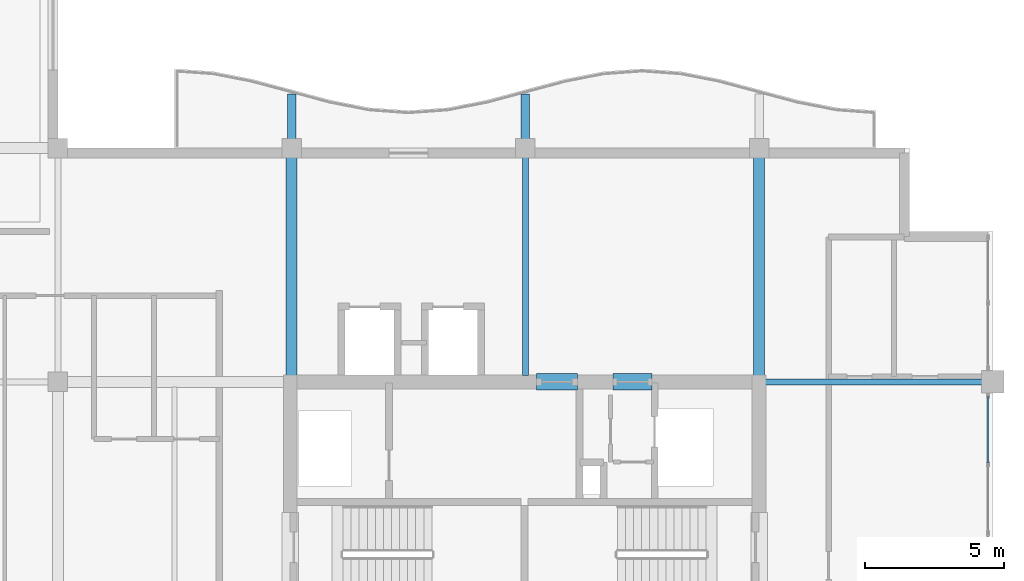
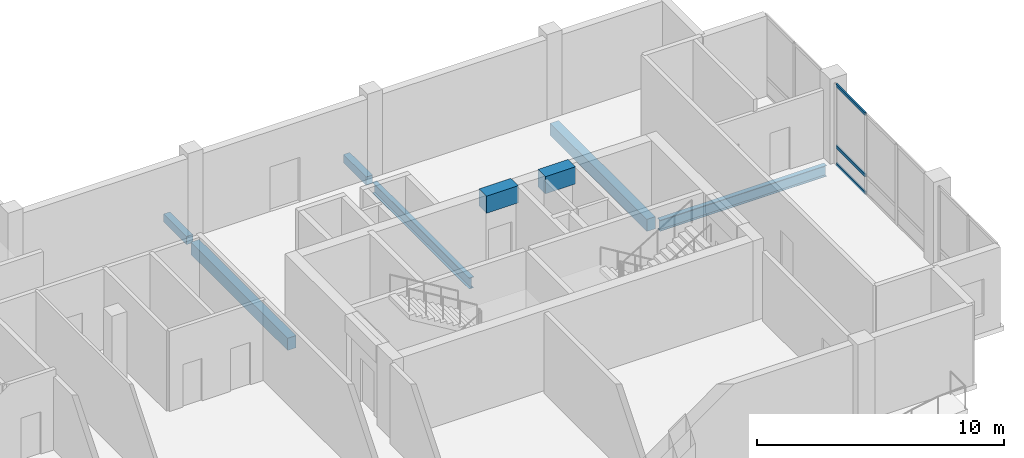
# One storey, part 3 of 16: 8 beams, 3 members, 1 element without a shape of its own.
"""IFC4 building model written with IfcOpenShell, lengths in metres."""

from ifc_helpers import new_model, si_unit, direction, frame, origin, origin_2d, place, context, subcontext, project, spatial, rectangle, hollow_rectangle, i_section, extrude, material, layer, layer_set, material_profile, profile_set, type_object, element, aggregate, save


model = new_model("IFC4")

# Units and contexts
model_context = context("Model", 3, precision=1e-05, world=origin(), true_north=direction((0.0, 1.0)))
body_context = subcontext(model_context, "Body", "Model", "MODEL_VIEW")
ifc_project = project(units=[si_unit("LENGTHUNIT", "METRE"), si_unit("AREAUNIT", "SQUARE_METRE"), si_unit("VOLUMEUNIT", "CUBIC_METRE"), si_unit("PLANEANGLEUNIT", "RADIAN"), si_unit("MASSUNIT", "GRAM", prefix="KILO")], contexts=[model_context])

# Site, building, storey
site_placement = place(None, origin())
site = spatial("IfcSite", under=ifc_project, at=site_placement, CompositionType="ELEMENT")
building_placement = place(site_placement, origin())
building = spatial("IfcBuilding", under=site, at=building_placement, Name="Koriwani Terraces Tower", CompositionType="ELEMENT")
storey_placement = place(building_placement, frame((0.0, 0.0, 355.39990234375)))
storey = spatial("IfcBuildingStorey", under=building, at=storey_placement, Name="L88", CompositionType="ELEMENT", Elevation=355.39990234375)

# Beams
ifc_material_1 = material(Name="Concrete C40/50", Category="concrete")
ifc_material_profile_1 = material_profile(ifc_material_1, rectangle(XDim=0.300048828125, YDim=0.39990234375, at=origin_2d()), Name="Concrete C40/50", Category="LoadBearing")
ifc_profile_set_1 = profile_set([ifc_material_profile_1], Name="Concrete C40/50")
beam_type_1 = type_object("IfcBeamType", Name="BEAM_RC_BALCONY_RIB_300X400", PredefinedType="JOIST", material=ifc_profile_set_1)
for number, where, z_axis, x_axis, name in (
    (1, (42.0, 33.699951171875, -0.429931640625), (0.0, 1.0, 0.0), (-1.0, 0.0, 0.0), "L88 Balcony Bracket Rib NE-1"),
    (2, (50.39990234375, 33.699951171875, -0.429931640625), (0.0, 1.0, 0.0), (-1.0, 0.0, 0.0), "L88 Balcony Bracket Rib NE-2"),
):
    element("IfcBeam", number, at=place(storey_placement, frame(where, z_axis=z_axis, x_axis=x_axis)), inside=storey, type_object=beam_type_1, Name=name, PredefinedType="JOIST", context=body_context, shape_type="SweptSolid", body=[
        extrude(rectangle(XDim=0.300048828125, YDim=0.39990234375, at=origin_2d()), origin(), (0.0, 0.0, 1.0), 1.85009765625),
    ])
ifc_material_2 = material(Name="Concrete C50/60", Category="concrete")
ifc_material_profile_2 = material_profile(ifc_material_2, rectangle(XDim=0.60009765625, YDim=0.85009765625, at=origin_2d()), Name="Concrete C50/60", Category="LoadBearing")
ifc_profile_set_2 = profile_set([ifc_material_profile_2], Name="Concrete C50/60")
beam_type_2 = type_object("IfcBeamType", Name="BEAM_RC_COUPLING_600X850", PredefinedType="LINTEL", material=ifc_profile_set_2)
beam_1_placement = place(storey_placement, frame((50.800048828125, 25.199951171875, 3.545166015625), z_axis=(1.0, 0.0, 0.0), x_axis=(0.0, 1.0, 0.0)))
element("IfcBeam", 3, at=beam_1_placement, inside=storey, type_object=beam_type_2, Name="L88 Core Coupling Lintel Beam EN1", PredefinedType="LINTEL", context=body_context, shape_type="SweptSolid", body=[
    extrude(rectangle(XDim=0.60009765625, YDim=0.85009765625, at=origin_2d()), origin(), (0.0, 0.0, 1.0), 1.47998046875),
])
beam_2_placement = place(storey_placement, frame((53.550048828125, 25.199951171875, 3.545166015625), z_axis=(1.0, 0.0, 0.0), x_axis=(0.0, 1.0, 0.0)))
element("IfcBeam", 4, at=beam_2_placement, inside=storey, type_object=beam_type_2, Name="L88 Core Coupling Lintel Beam EN2", PredefinedType="LINTEL", context=body_context, shape_type="SweptSolid", body=[
    extrude(rectangle(XDim=0.60009765625, YDim=0.85009765625, at=origin_2d()), origin(), (0.0, 0.0, 1.0), 1.39990234375),
])
ifc_material_profile_3 = material_profile(ifc_material_1, rectangle(XDim=0.39990234375, YDim=0.60009765625, at=origin_2d()), Name="Concrete C40/50", Category="LoadBearing")
ifc_profile_set_3 = profile_set([ifc_material_profile_3], Name="Concrete C40/50")
beam_type_3 = type_object("IfcBeamType", Name="BEAM_RC_GRID_400X600", PredefinedType="BEAM", material=ifc_profile_set_3)
for number, where, z_axis, x_axis, name in (
    (5, (42.0, 25.429931640625, -0.52978515625), (0.0, 1.0, 0.0), (-1.0, 0.0, 0.0), "L88 Grid Beam 6 (25.2-33.6m)"),
    (6, (58.800048828125, 25.429931640625, -0.52978515625), (0.0, 1.0, 0.0), (-1.0, 0.0, 0.0), "L88 Grid Beam 8 (25.2-33.6m)"),
):
    element("IfcBeam", number, at=place(storey_placement, frame(where, z_axis=z_axis, x_axis=x_axis)), inside=storey, type_object=beam_type_3, Name=name, PredefinedType="BEAM", context=body_context, shape_type="SweptSolid", body=[
        extrude(rectangle(XDim=0.39990234375, YDim=0.60009765625, at=origin_2d()), origin(), (0.0, 0.0, 1.0), 7.840087890625),
    ])

# Curtain wall, members
ifc_material_3 = material(Name="Anodised Bronze Aluminium", Category="aluminium")
ifc_layer = layer(ifc_material_3, 0.18994140625, Name="Anodised Bronze Aluminium")
ifc_layer_set = layer_set([ifc_layer], Name="Anodised Bronze Aluminium")
curtain_wall_type = type_object("IfcCurtainWallType", Name="CW_PENTHOUSE_ZONE5", PredefinedType="NOTDEFINED", material=ifc_layer_set)
curtain_wall_placement = place(storey_placement, origin())
curtain_wall = element("IfcCurtainWall", 7, at=curtain_wall_placement, inside=storey, type_object=curtain_wall_type, Name="L88 Unitised Curtain Wall (E_TIP) Bay 2", PredefinedType="NOTDEFINED")
ifc_material_profile_4 = material_profile(ifc_material_3, hollow_rectangle(XDim=0.06494140625, YDim=0.14990234375, WallThickness=0.0048828125, at=origin_2d()), Name="Anodised Bronze Aluminium", Category="LoadBearing")
ifc_profile_set_4 = profile_set([ifc_material_profile_4], Name="Anodised Bronze Aluminium")
member_type = type_object("IfcMemberType", Name="CW_TRANSOM_150X65", PredefinedType="USERDEFINED", material=ifc_profile_set_4)
member_1_placement = place(storey_placement, frame((67.02490234375, 24.6650390625, 0.03271484375), z_axis=(0.0, -1.0, 0.0), x_axis=(1.0, 0.0, 0.0)))
member_1 = element("IfcMember", 8, at=member_1_placement, type_object=member_type, Name="CW-Z5 transom 1.1", ObjectType="TRANSOM", PredefinedType="USERDEFINED", context=body_context, shape_type="SweptSolid", body=[
    extrude(hollow_rectangle(XDim=0.06494140625, YDim=0.14990234375, WallThickness=0.0048828125, at=origin_2d()), origin(), (0.0, 0.0, 1.0), 2.380859375),
])
member_2_placement = place(storey_placement, frame((67.02490234375, 24.6650390625, 0.900146484375), z_axis=(0.0, -1.0, 0.0), x_axis=(1.0, 0.0, 0.0)))
member_2 = element("IfcMember", 9, at=member_2_placement, type_object=member_type, Name="CW-Z5 transom 1.2", ObjectType="TRANSOM", PredefinedType="USERDEFINED", context=body_context, shape_type="SweptSolid", body=[
    extrude(hollow_rectangle(XDim=0.06494140625, YDim=0.14990234375, WallThickness=0.0048828125, at=origin_2d()), origin(), (0.0, 0.0, 1.0), 2.380859375),
])
member_3_placement = place(storey_placement, frame((67.02490234375, 24.6650390625, 3.9375), z_axis=(0.0, -1.0, 0.0), x_axis=(1.0, 0.0, 0.0)))
member_3 = element("IfcMember", 10, at=member_3_placement, type_object=member_type, Name="CW-Z5 transom 1.3", ObjectType="TRANSOM", PredefinedType="USERDEFINED", context=body_context, shape_type="SweptSolid", body=[
    extrude(hollow_rectangle(XDim=0.06494140625, YDim=0.14990234375, WallThickness=0.0048828125, at=origin_2d()), origin(), (0.0, 0.0, 1.0), 2.380859375),
])
aggregate(curtain_wall, [member_1, member_2, member_3])

# Beams
ifc_material_4 = material(Name="Steel ASTM A572 Grade 50", Category="steel")
ifc_material_profile_5 = material_profile(ifc_material_4, i_section(OverallWidth=0.2119140625, OverallDepth=0.54296875, WebThickness=0.0126953125, FlangeThickness=0.021240234375, at=origin_2d()), Name="Steel ASTM A572 Grade 50", Category="LoadBearing")
ifc_profile_set_5 = profile_set([ifc_material_profile_5], Name="Steel ASTM A572 Grade 50")
beam_type_4 = type_object("IfcBeamType", Name="STEEL_BEAM_W530X150", PredefinedType="BEAM", material=ifc_profile_set_5)
beam_3_placement = place(storey_placement, frame((59.030029296875, 25.199951171875, -0.50146484375), z_axis=(1.0, 0.0, 0.0), x_axis=(0.0, 1.0, 0.0)))
element("IfcBeam", 11, at=beam_3_placement, inside=storey, type_object=beam_type_4, Name="L88 Grid Beam D (58.8-67.2m)", PredefinedType="BEAM", context=body_context, shape_type="SweptSolid", body=[
    extrude(i_section(OverallWidth=0.2119140625, OverallDepth=0.54296875, WebThickness=0.0126953125, FlangeThickness=0.021240234375, at=origin_2d()), origin(), (0.0, 0.0, 1.0), 7.7900390625),
])
beam_4_placement = place(storey_placement, frame((50.39990234375, 25.429931640625, -0.50146484375), z_axis=(0.0, 1.0, 0.0), x_axis=(-1.0, 0.0, 0.0)))
element("IfcBeam", 12, at=beam_4_placement, inside=storey, type_object=beam_type_4, Name="L88 Grid Beam 7 (25.2-33.6m)", PredefinedType="BEAM", context=body_context, shape_type="SweptSolid", body=[
    extrude(i_section(OverallWidth=0.2119140625, OverallDepth=0.54296875, WebThickness=0.0126953125, FlangeThickness=0.021240234375, at=origin_2d()), origin(), (0.0, 0.0, 1.0), 7.840087890625),
])

save(model, "model.ifc")
